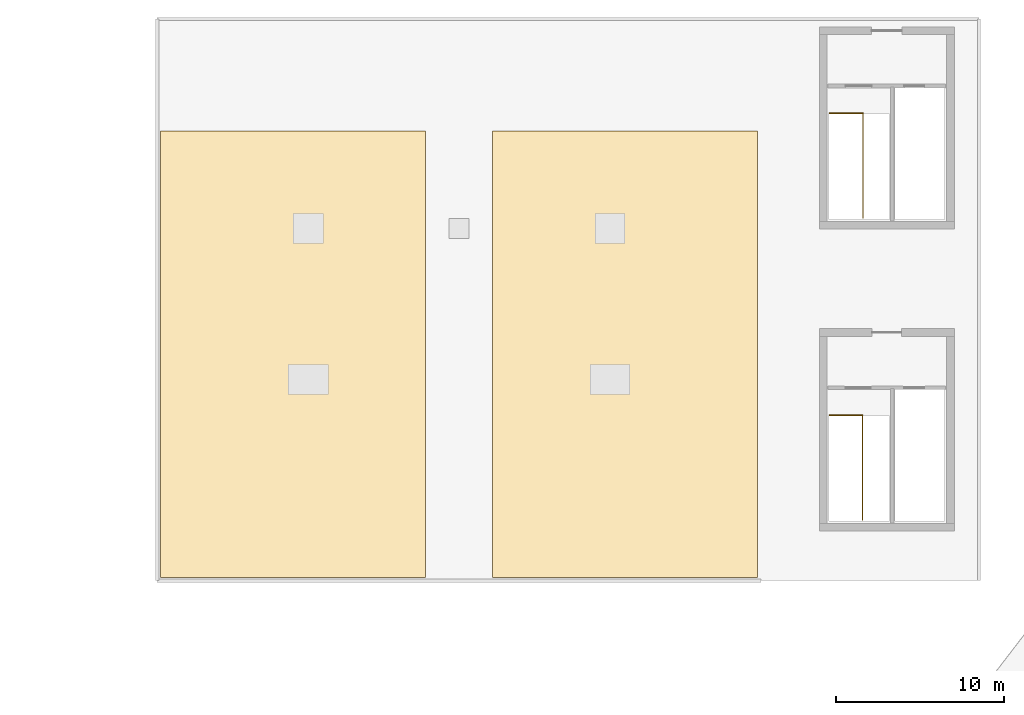
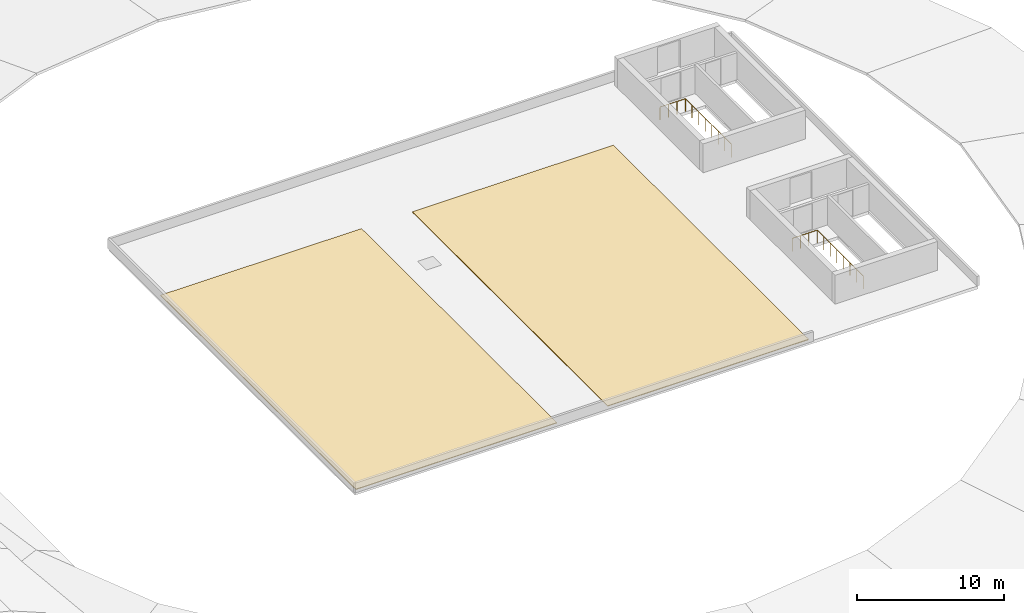
# One storey, part 4 of 4: 2 coverings, 2 railings.
"""IFC4 building model written with IfcOpenShell, lengths in metres."""

from ifc_helpers import new_model, si_unit, direction, frame, origin, origin_2d, place, context, subcontext, project, spatial, polyline, circle, outline, extrude, material, layer, layer_set, type_object, element, save


model = new_model("IFC4")

# Units and contexts
model_context = context("Model", 3, precision=1e-05, world=origin(), true_north=direction((0.0, 1.0)))
body_context = subcontext(model_context, "Body", "Model", "MODEL_VIEW")
ifc_project = project(units=[si_unit("LENGTHUNIT", "METRE"), si_unit("AREAUNIT", "SQUARE_METRE"), si_unit("VOLUMEUNIT", "CUBIC_METRE"), si_unit("PLANEANGLEUNIT", "RADIAN"), si_unit("MASSUNIT", "GRAM", prefix="KILO")], contexts=[model_context])

# Site, building, storey
site_placement = place(None, origin())
site = spatial("IfcSite", under=ifc_project, at=site_placement, CompositionType="ELEMENT")
building_placement = place(site_placement, origin())
building = spatial("IfcBuilding", under=site, at=building_placement, Name="Dornveld Trade and Exhibition Forum", CompositionType="ELEMENT")
storey_placement = place(building_placement, frame((0.0, 0.0, 26.39990234375)))
storey = spatial("IfcBuildingStorey", under=building, at=storey_placement, Name="RF", CompositionType="ELEMENT", Elevation=26.39990234375)

# Coverings
ifc_material_1 = material(Name="Standing-seam zinc roofing and rigid insulation", Category="metal")
ifc_layer = layer(ifc_material_1, 0.06005859375)
ifc_layer_set = layer_set([ifc_layer], Name="Standing-seam zinc roofing and rigid insulation")
covering_type = type_object("IfcCoveringType", Name="COV-ROOF-ZINC", PredefinedType="ROOFING", material=ifc_layer_set)
covering_1_placement = place(storey_placement, origin())
element("IfcCovering", 1, at=covering_1_placement, inside=storey, type_object=covering_type, Name="RF standing-seam zinc roof finish 5", PredefinedType="ROOFING", context=body_context, shape_type="SweptSolid", body=[
    extrude(outline(polyline([(99.199951171875, 63.199951171875), (115.0, 63.199951171875), (115.0, 89.800048828125), (99.199951171875, 89.800048828125), (99.199951171875, 63.199951171875)])), origin(), (0.0, 0.0, 1.0), 0.06005859375),
])
covering_2_placement = place(storey_placement, origin())
element("IfcCovering", 2, at=covering_2_placement, inside=storey, type_object=covering_type, Name="RF standing-seam zinc roof finish 6", PredefinedType="ROOFING", context=body_context, shape_type="SweptSolid", body=[
    extrude(outline(polyline([(119.0, 63.199951171875), (134.800048828125, 63.199951171875), (134.800048828125, 89.800048828125), (119.0, 89.800048828125), (119.0, 63.199951171875)])), origin(), (0.0, 0.0, 1.0), 0.06005859375),
])

# Railings
ifc_material_2 = material(Name="Painted steel S355J2 stair-well guard", Category="steel")
railing_type = type_object("IfcRailingType", Name="RL-WELL-110", PredefinedType="GUARDRAIL", material=ifc_material_2)
railing_1_placement = place(storey_placement, frame((139.080078125, 90.8701171875, 0.0)))
element("IfcRailing", 3, at=railing_1_placement, inside=storey, type_object=railing_type, Name="CORE-01 RF stair-well top guard", PredefinedType="GUARDRAIL", context=body_context, shape_type="SweptSolid", body=[
    extrude(circle(Radius=0.02392578125, at=origin_2d()), frame((0.0, 0.0, 1.076171875), z_axis=(1.0, 0.0, 0.0), x_axis=(0.0, 1.0, 0.0)), (0.0, 0.0, 1.0), 2.0048828125),
    extrude(circle(Radius=0.02392578125, at=origin_2d()), frame((2.0048828125, 0.0, 1.076171875), z_axis=(0.0, -1.0, 0.0), x_axis=(1.0, 0.0, 0.0)), (0.0, 0.0, 1.0), 6.25),
    extrude(circle(Radius=0.02001953125, at=origin_2d()), origin(), (0.0, 0.0, 1.0), 1.052001953125),
    extrude(circle(Radius=0.02001953125, at=origin_2d()), frame((0.668212890625, 0.0, 0.0)), (0.0, 0.0, 1.0), 1.052001953125),
    extrude(circle(Radius=0.02001953125, at=origin_2d()), frame((1.336669921875, 0.0, 0.0)), (0.0, 0.0, 1.0), 1.052001953125),
    extrude(circle(Radius=0.02001953125, at=origin_2d()), frame((2.0048828125, 0.0, 0.0)), (0.0, 0.0, 1.0), 1.052001953125),
    extrude(circle(Radius=0.02001953125, at=origin_2d()), frame((2.0048828125, -0.892822265625, 0.0)), (0.0, 0.0, 1.0), 1.052001953125),
    extrude(circle(Radius=0.02001953125, at=origin_2d()), frame((2.0048828125, -1.78564453125, 0.0)), (0.0, 0.0, 1.0), 1.052001953125),
    extrude(circle(Radius=0.02001953125, at=origin_2d()), frame((2.0048828125, -2.678466796875, 0.0)), (0.0, 0.0, 1.0), 1.052001953125),
    extrude(circle(Radius=0.02001953125, at=origin_2d()), frame((2.0048828125, -3.571533203125, 0.0)), (0.0, 0.0, 1.0), 1.052001953125),
    extrude(circle(Radius=0.02001953125, at=origin_2d()), frame((2.0048828125, -4.46435546875, 0.0)), (0.0, 0.0, 1.0), 1.052001953125),
    extrude(circle(Radius=0.02001953125, at=origin_2d()), frame((2.0048828125, -5.357177734375, 0.0)), (0.0, 0.0, 1.0), 1.052001953125),
    extrude(circle(Radius=0.02001953125, at=origin_2d()), frame((2.0048828125, -6.25, 0.0)), (0.0, 0.0, 1.0), 1.052001953125),
])
railing_2_placement = place(storey_placement, frame((139.080078125, 72.8701171875, 0.0)))
element("IfcRailing", 4, at=railing_2_placement, inside=storey, type_object=railing_type, Name="CORE-08 RF stair-well top guard", PredefinedType="GUARDRAIL", context=body_context, shape_type="SweptSolid", body=[
    extrude(circle(Radius=0.02392578125, at=origin_2d()), frame((0.0, 0.0, 1.076171875), z_axis=(1.0, 0.0, 0.0), x_axis=(0.0, 1.0, 0.0)), (0.0, 0.0, 1.0), 1.969970703125),
    extrude(circle(Radius=0.02392578125, at=origin_2d()), frame((1.969970703125, 0.0, 1.076171875), z_axis=(0.0, -1.0, 0.0), x_axis=(1.0, 0.0, 0.0)), (0.0, 0.0, 1.0), 6.25),
    extrude(circle(Radius=0.02001953125, at=origin_2d()), origin(), (0.0, 0.0, 1.0), 1.052001953125),
    extrude(circle(Radius=0.02001953125, at=origin_2d()), frame((0.65673828125, 0.0, 0.0)), (0.0, 0.0, 1.0), 1.052001953125),
    extrude(circle(Radius=0.02001953125, at=origin_2d()), frame((1.313232421875, 0.0, 0.0)), (0.0, 0.0, 1.0), 1.052001953125),
    extrude(circle(Radius=0.02001953125, at=origin_2d()), frame((1.969970703125, 0.0, 0.0)), (0.0, 0.0, 1.0), 1.052001953125),
    extrude(circle(Radius=0.02001953125, at=origin_2d()), frame((1.969970703125, -0.892822265625, 0.0)), (0.0, 0.0, 1.0), 1.052001953125),
    extrude(circle(Radius=0.02001953125, at=origin_2d()), frame((1.969970703125, -1.78564453125, 0.0)), (0.0, 0.0, 1.0), 1.052001953125),
    extrude(circle(Radius=0.02001953125, at=origin_2d()), frame((1.969970703125, -2.678466796875, 0.0)), (0.0, 0.0, 1.0), 1.052001953125),
    extrude(circle(Radius=0.02001953125, at=origin_2d()), frame((1.969970703125, -3.571533203125, 0.0)), (0.0, 0.0, 1.0), 1.052001953125),
    extrude(circle(Radius=0.02001953125, at=origin_2d()), frame((1.969970703125, -4.46435546875, 0.0)), (0.0, 0.0, 1.0), 1.052001953125),
    extrude(circle(Radius=0.02001953125, at=origin_2d()), frame((1.969970703125, -5.357177734375, 0.0)), (0.0, 0.0, 1.0), 1.052001953125),
    extrude(circle(Radius=0.02001953125, at=origin_2d()), frame((1.969970703125, -6.25, 0.0)), (0.0, 0.0, 1.0), 1.052001953125),
])

save(model, "model.ifc")
